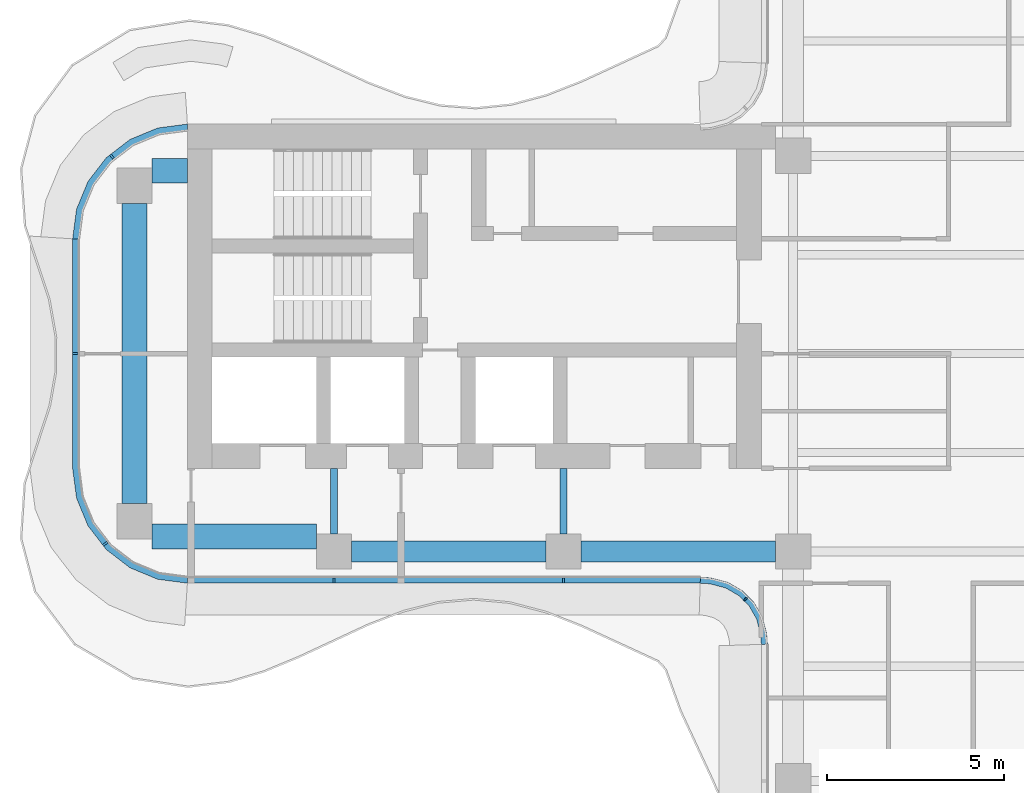
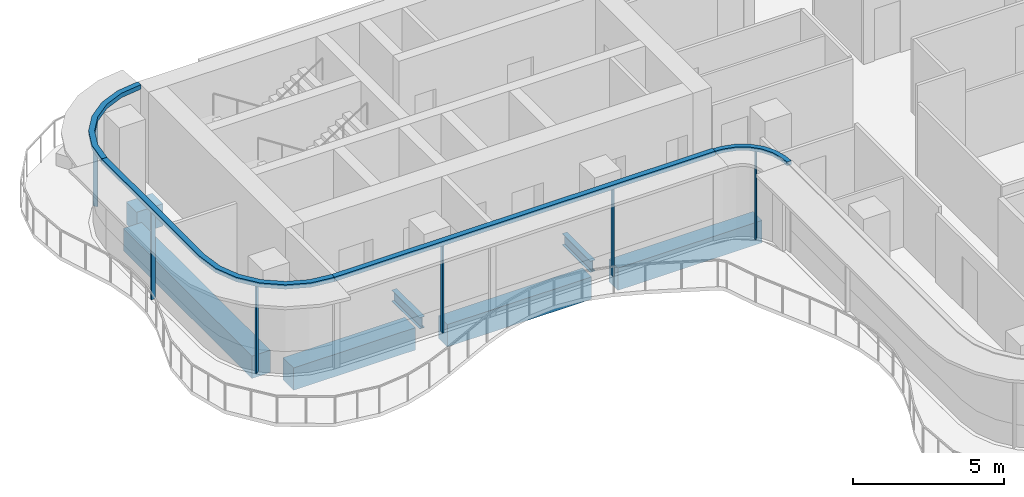
# One storey, part 3 of 15: 10 members, 7 beams, 4 elements without a shape of their own.
"""IFC4 building model written with IfcOpenShell, lengths in metres."""

from ifc_helpers import new_model, si_unit, direction, frame, origin, origin_2d, place, context, subcontext, project, spatial, polyline, rectangle, i_section, outline, extrude, source, transform, mapped, material, layer, layer_set, material_profile, profile_set, type_object, element, aggregate, save


model = new_model("IFC4")

# Units and contexts
model_context = context("Model", 3, precision=1e-05, world=origin(), true_north=direction((0.0, 1.0)))
body_context = subcontext(model_context, "Body", "Model", "MODEL_VIEW")
ifc_project = project(units=[si_unit("LENGTHUNIT", "METRE"), si_unit("AREAUNIT", "SQUARE_METRE"), si_unit("VOLUMEUNIT", "CUBIC_METRE"), si_unit("PLANEANGLEUNIT", "RADIAN"), si_unit("MASSUNIT", "GRAM", prefix="KILO")], contexts=[model_context])

# Site, building, storey
site_placement = place(None, origin())
site = spatial("IfcSite", under=ifc_project, at=site_placement, CompositionType="ELEMENT")
building_placement = place(site_placement, origin())
building = spatial("IfcBuilding", under=site, at=building_placement, Name="Trellis Farm Tower", CompositionType="ELEMENT")
storey_placement = place(building_placement, frame((0.0, 0.0, 287.199951171875)))
storey = spatial("IfcBuildingStorey", under=building, at=storey_placement, Name="L64", CompositionType="ELEMENT", Elevation=287.199951171875)

# Beams
ifc_material_1 = material(Name="Steel S355", Category="steel")
ifc_material_profile_1 = material_profile(ifc_material_1, i_section(OverallWidth=0.1904296875, OverallDepth=0.45703125, WebThickness=0.009033203125, FlangeThickness=0.014404296875, FilletRadius=0.01025390625, at=origin_2d()), Name="UB 457x191x74")
ifc_profile_set_1 = profile_set([ifc_material_profile_1], Name="Steel S355")
beam_type_1 = type_object("IfcBeamType", Name="UB 457x191x74", PredefinedType="BEAM", material=ifc_profile_set_1)
shared_shape_1 = source(origin(), body_context, "Body", "SweptSolid", [
    extrude(i_section(OverallWidth=0.1904296875, OverallDepth=0.45703125, WebThickness=0.009033203125, FlangeThickness=0.014404296875, FilletRadius=0.01025390625, at=origin_2d()), origin(), (0.0, 0.0, 1.0), 1.85009765625),
])
for number, where, z_axis, x_axis, name in (
    (1, (-18.60009765625, -5.10009765625, -0.428466796875), (0.0, 1.0, 0.0), (-1.0, 0.0, 0.0), "Girder"),
    (2, (-12.10009765625, -5.10009765625, -0.428466796875), (0.0, 1.0, 0.0), (-1.0, 0.0, 0.0), "Girder"),
):
    element("IfcBeam", number, at=place(storey_placement, frame(where, z_axis=z_axis, x_axis=x_axis)), inside=storey, type_object=beam_type_1, Name=name, PredefinedType="BEAM", context=body_context, shape_type="MappedRepresentation", body=[
        mapped(shared_shape_1, transform((0.0, 0.0, 0.0))),
    ])
ifc_material_2 = material(Name="Concrete C60/75", Category="concrete")
ifc_material_profile_2 = material_profile(ifc_material_2, rectangle(XDim=0.60009765625, YDim=0.89990234375, at=origin_2d()), Name="RC spandrel beam 600x900 C60/75")
ifc_profile_set_2 = profile_set([ifc_material_profile_2], Name="Concrete C60/75")
beam_type_2 = type_object("IfcBeamType", Name="RC spandrel beam 600x900 C60/75", PredefinedType="SPANDREL", material=ifc_profile_set_2)
shared_shape_2 = source(origin(), body_context, "Body", "SweptSolid", [
    extrude(rectangle(XDim=0.60009765625, YDim=0.89990234375, at=origin_2d()), origin(), (0.0, 0.0, 1.0), 5.5),
])
for number, where, z_axis, x_axis, name in (
    (3, (-18.10009765625, -5.60009765625, -0.64990234375), (1.0, 0.0, 0.0), (0.0, 1.0, 0.0), "Girder"),
    (4, (-11.60009765625, -5.60009765625, -0.64990234375), (1.0, 0.0, 0.0), (0.0, 1.0, 0.0), "Girder"),
):
    element("IfcBeam", number, at=place(storey_placement, frame(where, z_axis=z_axis, x_axis=x_axis)), inside=storey, type_object=beam_type_2, Name=name, PredefinedType="SPANDREL", context=body_context, shape_type="MappedRepresentation", body=[
        mapped(shared_shape_2, transform((0.0, 0.0, 0.0))),
    ])
ifc_material_profile_3 = material_profile(ifc_material_2, rectangle(XDim=0.699951171875, YDim=0.89990234375, at=origin_2d()), Name="RC spandrel beam 700x900 C60/75")
ifc_profile_set_3 = profile_set([ifc_material_profile_3], Name="Concrete C60/75")
beam_type_3 = type_object("IfcBeamType", Name="RC spandrel beam 700x900 C60/75", PredefinedType="SPANDREL", material=ifc_profile_set_3)
shared_shape_3 = source(origin(), body_context, "Body", "SweptSolid", [
    extrude(rectangle(XDim=0.699951171875, YDim=0.89990234375, at=origin_2d()), origin(), (0.0, 0.0, 1.0), 1.0),
])
beam_1_placement = place(storey_placement, frame((-23.75, 5.175048828125, -0.64990234375), z_axis=(1.0, 0.0, 0.0), x_axis=(0.0, 1.0, 0.0)))
element("IfcBeam", 5, at=beam_1_placement, inside=storey, type_object=beam_type_3, Name="Girder", PredefinedType="SPANDREL", context=body_context, shape_type="MappedRepresentation", body=[
    mapped(shared_shape_3, transform((0.0, 0.0, 0.0))),
])
shared_shape_4 = source(origin(), body_context, "Body", "SweptSolid", [
    extrude(rectangle(XDim=0.699951171875, YDim=0.89990234375, at=origin_2d()), origin(), (0.0, 0.0, 1.0), 4.64990234375),
])
beam_2_placement = place(storey_placement, frame((-23.75, -5.175048828125, -0.64990234375), z_axis=(1.0, 0.0, 0.0), x_axis=(0.0, 1.0, 0.0)))
element("IfcBeam", 6, at=beam_2_placement, inside=storey, type_object=beam_type_3, Name="Girder", PredefinedType="SPANDREL", context=body_context, shape_type="MappedRepresentation", body=[
    mapped(shared_shape_4, transform((0.0, 0.0, 0.0))),
])
shared_shape_5 = source(origin(), body_context, "Body", "SweptSolid", [
    extrude(rectangle(XDim=0.699951171875, YDim=0.89990234375, at=origin_2d()), origin(), (0.0, 0.0, 1.0), 8.5),
])
beam_3_placement = place(storey_placement, frame((-24.25, -4.25, -0.64990234375), z_axis=(0.0, 1.0, 0.0), x_axis=(-1.0, 0.0, 0.0)))
element("IfcBeam", 7, at=beam_3_placement, inside=storey, type_object=beam_type_3, Name="Girder", PredefinedType="SPANDREL", context=body_context, shape_type="MappedRepresentation", body=[
    mapped(shared_shape_5, transform((0.0, 0.0, 0.0))),
])

# Curtain wall, member
ifc_material_3 = material(Name="Aluminium and glass curtain wall", Category="aluminium")
ifc_layer_1 = layer(ifc_material_3, 0.166015625)
ifc_layer_set_1 = layer_set([ifc_layer_1], Name="WINTER GARDEN CURTAIN WALL CW3")
curtain_wall_type_1 = type_object("IfcCurtainWallType", Name="WINTER GARDEN CURTAIN WALL CW3", PredefinedType="NOTDEFINED", material=ifc_layer_set_1)
placement_1 = place(storey_placement, origin())
curtain_wall_1 = element("IfcCurtainWall", 8, at=placement_1, inside=storey, type_object=curtain_wall_type_1, Name="CW3 001", PredefinedType="NOTDEFINED")
ifc_material_4 = material(Name="Aluminium extrusion 6063-T6", Category="aluminium")
ifc_layer_2 = layer(ifc_material_4, 0.169921875)
ifc_layer_set_2 = layer_set([ifc_layer_2], Name="Aluminium extrusion 6063-T6")
member_type_1 = type_object("IfcMemberType", Name="CW3 TRANSOM 170x150", PredefinedType="USERDEFINED", material=ifc_layer_set_2)
shared_shape_6 = source(origin(), body_context, "Body", "SweptSolid", [
    extrude(outline(polyline([(-8.2314453125, -6.5), (-8.01953125, -6.513916015625), (-7.91552734375, -6.527587890625), (-7.508544921875, -6.63671875), (-7.144287109375, -6.846923828125), (-6.846923828125, -7.144287109375), (-6.63671875, -7.508544921875), (-6.527587890625, -7.91552734375), (-6.513916015625, -8.01953125), (-6.5, -8.2314453125), (-6.330078125, -8.225830078125), (-6.3447265625, -8.0029296875), (-6.360595703125, -7.88232421875), (-6.478271484375, -7.44287109375), (-6.7109375, -7.0400390625), (-7.0400390625, -6.7109375), (-7.44287109375, -6.478271484375), (-7.88232421875, -6.360595703125), (-8.0029296875, -6.3447265625), (-8.225830078125, -6.330078125), (-8.2314453125, -6.5)])), origin(), (0.0, 0.0, 1.0), 0.14990234375),
])
member_1_placement = place(storey_placement, frame((0.0, 0.0, 3.550048828125)))
member_1 = element("IfcMember", 9, at=member_1_placement, type_object=member_type_1, Name="TR3 001", ObjectType="TRANSOM", PredefinedType="USERDEFINED", context=body_context, shape_type="MappedRepresentation", body=[
    mapped(shared_shape_6, transform((0.0, 0.0, 0.0))),
])

# Curtain wall, members
ifc_layer_3 = layer(ifc_material_3, 0.18994140625)
ifc_layer_set_3 = layer_set([ifc_layer_3], Name="RIBBON CURTAIN WALL CW1")
curtain_wall_type_2 = type_object("IfcCurtainWallType", Name="RIBBON CURTAIN WALL CW1", PredefinedType="NOTDEFINED", material=ifc_layer_set_3)
curtain_wall_2 = element("IfcCurtainWall", 10, at=placement_1, inside=storey, type_object=curtain_wall_type_2, Name="CW1 001", PredefinedType="NOTDEFINED")
ifc_material_profile_4 = material_profile(ifc_material_4, rectangle(XDim=0.06005859375, YDim=0.14990234375, at=origin_2d()), Name="MULLION 60x150")
ifc_profile_set_4 = profile_set([ifc_material_profile_4], Name="Aluminium extrusion 6063-T6")
member_type_2 = type_object("IfcMemberType", Name="CW1 MULLION 60x150", PredefinedType="MULLION", material=ifc_profile_set_4)
shared_shape_7 = source(origin(), body_context, "Body", "SweptSolid", [
    extrude(rectangle(XDim=0.06005859375, YDim=0.14990234375, at=origin_2d()), origin(), (0.0, 0.0, 1.0), 3.52001953125),
])
member_2_placement = place(storey_placement, frame((-18.60009765625, -6.425048828125, 0.0), z_axis=(0.0, 0.0, 1.0), x_axis=(1.0, 0.0, 0.0)))
member_2 = element("IfcMember", 11, at=member_2_placement, type_object=member_type_2, Name="MU1 001-01", PredefinedType="MULLION", context=body_context, shape_type="MappedRepresentation", body=[
    mapped(shared_shape_7, transform((0.0, 0.0, 0.0))),
])
member_3_placement = place(storey_placement, frame((-12.10009765625, -6.425048828125, 0.0), z_axis=(0.0, 0.0, 1.0), x_axis=(1.0, 0.0, 0.0)))
member_3 = element("IfcMember", 12, at=member_3_placement, type_object=member_type_2, Name="MU1 001-02", PredefinedType="MULLION", context=body_context, shape_type="MappedRepresentation", body=[
    mapped(shared_shape_7, transform((0.0, 0.0, 0.0))),
])

# Curtain wall, member
curtain_wall_3 = element("IfcCurtainWall", 13, at=placement_1, inside=storey, type_object=curtain_wall_type_2, Name="CW1 012", PredefinedType="NOTDEFINED")
member_4_placement = place(storey_placement, frame((-24.885498046875, 5.578369140625, 0.0), z_axis=(0.0, 0.0, 1.0), x_axis=(-0.793353340291, -0.608761429009, 0.0)))
member_4 = element("IfcMember", 14, at=member_4_placement, type_object=member_type_2, Name="MU1 012-01", PredefinedType="MULLION", context=body_context, shape_type="MappedRepresentation", body=[
    mapped(shared_shape_7, transform((0.0, 0.0, 0.0))),
])

# Curtain wall, members
curtain_wall_4 = element("IfcCurtainWall", 15, at=placement_1, inside=storey, type_object=curtain_wall_type_2, Name="CW1 013", PredefinedType="NOTDEFINED")
member_5_placement = place(storey_placement, frame((-25.925048828125, 0.0, 0.0), z_axis=(0.0, 0.0, 1.0), x_axis=(0.0, -1.0, 0.0)))
member_5 = element("IfcMember", 16, at=member_5_placement, type_object=member_type_2, Name="MU1 013-01", PredefinedType="MULLION", context=body_context, shape_type="MappedRepresentation", body=[
    mapped(shared_shape_7, transform((0.0, 0.0, 0.0))),
])
member_6_placement = place(storey_placement, frame((-25.078369140625, -5.385498046875, 0.0), z_axis=(0.0, 0.0, 1.0), x_axis=(0.608761429009, -0.793353340291, 0.0)))
member_6 = element("IfcMember", 17, at=member_6_placement, type_object=member_type_2, Name="MU1 013-02", PredefinedType="MULLION", context=body_context, shape_type="MappedRepresentation", body=[
    mapped(shared_shape_7, transform((0.0, 0.0, 0.0))),
])

# Member
ifc_material_profile_5 = material_profile(ifc_material_4, rectangle(XDim=0.050048828125, YDim=0.1201171875, at=origin_2d()), Name="MULLION 50x120")
ifc_profile_set_5 = profile_set([ifc_material_profile_5], Name="Aluminium extrusion 6063-T6")
member_type_3 = type_object("IfcMemberType", Name="CW3 MULLION 50x120", PredefinedType="MULLION", material=ifc_profile_set_5)
shared_shape_8 = source(origin(), body_context, "Body", "SweptSolid", [
    extrude(rectangle(XDim=0.050048828125, YDim=0.1201171875, at=origin_2d()), origin(), (0.0, 0.0, 1.0), 3.550048828125),
])
member_7_placement = place(storey_placement, frame((-6.953125, -6.953125, 0.0), z_axis=(0.0, 0.0, 1.0), x_axis=(0.707106781187, -0.707106781187, 0.0)))
member_7 = element("IfcMember", 18, at=member_7_placement, type_object=member_type_3, Name="MU3 001-01", PredefinedType="MULLION", context=body_context, shape_type="MappedRepresentation", body=[
    mapped(shared_shape_8, transform((0.0, 0.0, 0.0))),
])

aggregate(curtain_wall_1, [member_7, member_1])

ifc_layer_4 = layer(ifc_material_4, 0.199951171875)
ifc_layer_set_4 = layer_set([ifc_layer_4], Name="Aluminium extrusion 6063-T6")
member_type_4 = type_object("IfcMemberType", Name="CW1 TRANSOM 200x180", PredefinedType="USERDEFINED", material=ifc_layer_set_4)
shared_shape_9 = source(origin(), body_context, "Body", "SweptSolid", [
    extrude(outline(polyline([(-22.75, -6.5), (-8.2314453125, -6.5), (-8.224853515625, -6.300048828125), (-22.73681640625, -6.300048828125), (-22.75, -6.5)])), origin(), (0.0, 0.0, 1.0), 0.179931640625),
])
placement_2 = place(storey_placement, frame((0.0, 0.0, 3.52001953125)))
member_8 = element("IfcMember", 19, at=placement_2, type_object=member_type_4, Name="TR1 001", ObjectType="TRANSOM", PredefinedType="USERDEFINED", context=body_context, shape_type="MappedRepresentation", body=[
    mapped(shared_shape_9, transform((0.0, 0.0, 0.0))),
])

aggregate(curtain_wall_2, [member_2, member_3, member_8])

shared_shape_10 = source(origin(), body_context, "Body", "SweptSolid", [
    extrude(outline(polyline([(-22.75, 6.5), (-23.591064453125, 6.38916015625), (-24.375, 6.064697265625), (-25.048095703125, 5.548095703125), (-25.564697265625, 4.875), (-25.88916015625, 4.091064453125), (-26.0, 3.25), (-25.800048828125, 3.23681640625), (-25.6943359375, 4.0390625), (-25.389892578125, 4.774169921875), (-24.905517578125, 5.405517578125), (-24.274169921875, 5.889892578125), (-23.5390625, 6.1943359375), (-22.73681640625, 6.300048828125), (-22.75, 6.5)])), origin(), (0.0, 0.0, 1.0), 0.179931640625),
])
member_9 = element("IfcMember", 20, at=placement_2, type_object=member_type_4, Name="TR1 012", ObjectType="TRANSOM", PredefinedType="USERDEFINED", context=body_context, shape_type="MappedRepresentation", body=[
    mapped(shared_shape_10, transform((0.0, 0.0, 0.0))),
])

aggregate(curtain_wall_3, [member_4, member_9])

shared_shape_11 = source(origin(), body_context, "Body", "SweptSolid", [
    extrude(outline(polyline([(-26.0, 3.25), (-26.0, -3.25), (-25.88916015625, -4.091064453125), (-25.564697265625, -4.875), (-25.048095703125, -5.548095703125), (-24.375, -6.064697265625), (-23.591064453125, -6.38916015625), (-22.75, -6.5), (-22.73681640625, -6.300048828125), (-23.5390625, -6.1943359375), (-24.274169921875, -5.889892578125), (-24.905517578125, -5.405517578125), (-25.389892578125, -4.774169921875), (-25.6943359375, -4.0390625), (-25.800048828125, -3.23681640625), (-25.800048828125, 3.23681640625), (-26.0, 3.25)])), origin(), (0.0, 0.0, 1.0), 0.179931640625),
])
member_10 = element("IfcMember", 21, at=placement_2, type_object=member_type_4, Name="TR1 013", ObjectType="TRANSOM", PredefinedType="USERDEFINED", context=body_context, shape_type="MappedRepresentation", body=[
    mapped(shared_shape_11, transform((0.0, 0.0, 0.0))),
])

aggregate(curtain_wall_4, [member_5, member_6, member_10])

save(model, "model.ifc")
